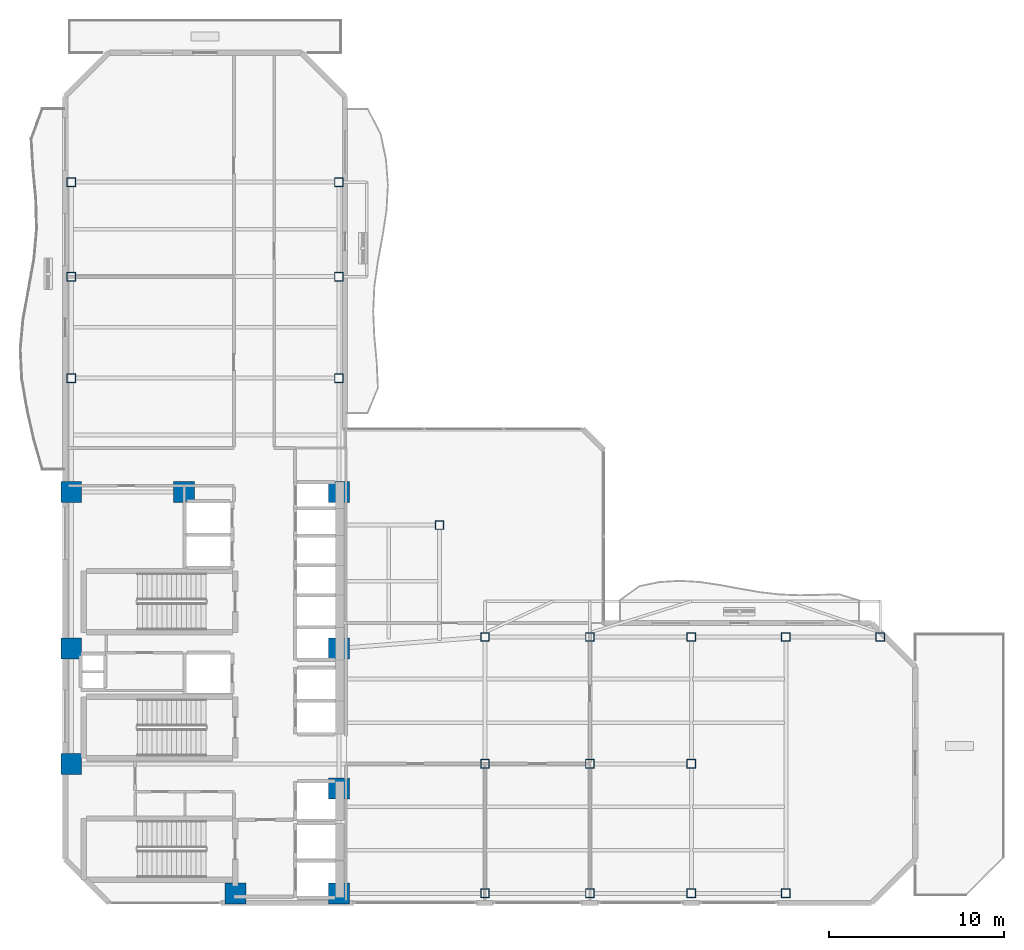
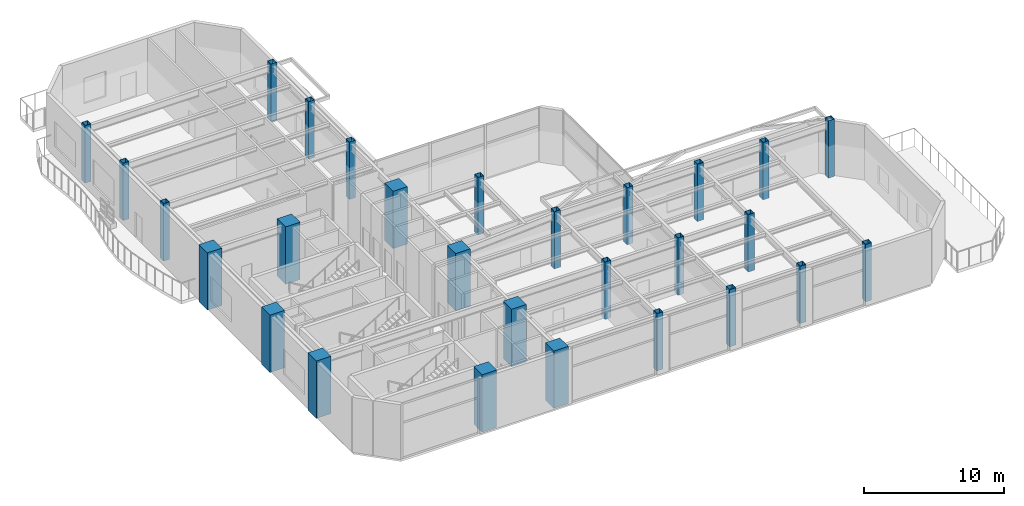
# One storey, part 1 of 23: 28 columns.
"""IFC4 building model written with IfcOpenShell, lengths in metres."""

from ifc_helpers import new_model, si_unit, direction, frame, origin, origin_2d, place, context, subcontext, project, spatial, rectangle, hollow_rectangle, extrude, material, material_profile, profile_set, type_object, element, save


model = new_model("IFC4")

# Units and contexts
model_context = context("Model", 3, precision=1e-05, world=origin(), true_north=direction((0.0, 1.0)))
body_context = subcontext(model_context, "Body", "Model", "MODEL_VIEW")
ifc_project = project(units=[si_unit("LENGTHUNIT", "METRE"), si_unit("AREAUNIT", "SQUARE_METRE"), si_unit("VOLUMEUNIT", "CUBIC_METRE"), si_unit("PLANEANGLEUNIT", "RADIAN"), si_unit("MASSUNIT", "GRAM", prefix="KILO")], contexts=[model_context])

# Site, building, storey
site_placement = place(None, origin())
site = spatial("IfcSite", under=ifc_project, at=site_placement, CompositionType="ELEMENT")
building_placement = place(site_placement, origin())
building = spatial("IfcBuilding", under=site, at=building_placement, Name="Mawjaban Terraces University", CompositionType="ELEMENT")
storey_placement = place(building_placement, frame((0.0, 0.0, 98.39990234375)))
storey = spatial("IfcBuildingStorey", under=building, at=storey_placement, Name="L23", CompositionType="ELEMENT", Elevation=98.39990234375)

# Columns
ifc_material_1 = material(Name="Concrete C60/75", Category="concrete")
ifc_material_profile_1 = material_profile(ifc_material_1, rectangle(XDim=1.199951171875, YDim=1.199951171875, at=origin_2d()), Name="RC1200X1200")
ifc_profile_set_1 = profile_set([ifc_material_profile_1], Name="Concrete C60/75")
column_type_1 = type_object("IfcColumnType", Name="Col_RC1200X1200", PredefinedType="COLUMN", material=ifc_profile_set_1)
for number, where, z_axis, x_axis, name in (
    (1, (31.75, 0.550048828125, 0.0), (0.0, 0.0, 1.0), (1.0, 0.0, 0.0), "L23 Column CC2"),
    (2, (37.64990234375, 0.550048828125, 0.0), (0.0, 0.0, 1.0), (1.0, 0.0, 0.0), "L23 Column CC3"),
    (3, (22.35009765625, 7.949951171875, 0.0), (0.0, 0.0, 1.0), (1.0, 0.0, 0.0), "L23 Column CC4"),
    (4, (37.64990234375, 6.550048828125, 0.0), (0.0, 0.0, 1.0), (1.0, 0.0, 0.0), "L23 Column CC5"),
    (5, (22.35009765625, 14.550048828125, 0.0), (0.0, 0.0, 1.0), (1.0, 0.0, 0.0), "L23 Column CC6"),
    (6, (37.64990234375, 14.550048828125, 0.0), (0.0, 0.0, 1.0), (1.0, 0.0, 0.0), "L23 Column CC7"),
    (7, (22.35009765625, 23.5, 0.0), (0.0, 0.0, 1.0), (1.0, 0.0, 0.0), "L23 Column CC8"),
    (8, (28.800048828125, 23.5, 0.0), (0.0, 0.0, 1.0), (1.0, 0.0, 0.0), "L23 Column CC9"),
    (9, (37.64990234375, 23.5, 0.0), (0.0, 0.0, 1.0), (1.0, 0.0, 0.0), "L23 Column CC10"),
):
    element("IfcColumn", number, at=place(storey_placement, frame(where, z_axis=z_axis, x_axis=x_axis)), inside=storey, type_object=column_type_1, Name=name, PredefinedType="COLUMN", context=body_context, shape_type="SweptSolid", body=[
        extrude(rectangle(XDim=1.199951171875, YDim=1.199951171875, at=origin_2d()), origin(), (0.0, 0.0, 1.0), 5.0),
    ])
ifc_material_2 = material(Name="Steel EN 10210-1 S355J2H", Category="steel")
ifc_material_profile_2 = material_profile(ifc_material_2, hollow_rectangle(XDim=0.5, YDim=0.5, WallThickness=0.02490234375, at=origin_2d()), Name="SHS500X500X25")
ifc_profile_set_2 = profile_set([ifc_material_profile_2], Name="Steel EN 10210-1 S355J2H")
column_type_2 = type_object("IfcColumnType", Name="Col_SHS500X500X25", PredefinedType="COLUMN", material=ifc_profile_set_2)
for number, where, z_axis, x_axis, name in (
    (10, (46.0, 0.550048828125, 0.0), (0.0, 0.0, 1.0), (1.0, 0.0, 0.0), "L23 Column TE-460-005"),
    (11, (46.0, 7.949951171875, 0.0), (0.0, 0.0, 1.0), (1.0, 0.0, 0.0), "L23 Column TE-460-080"),
    (12, (46.0, 15.199951171875, 0.0), (0.0, 0.0, 1.0), (1.0, 0.0, 0.0), "L23 Column TE-460-152"),
    (13, (52.0, 0.550048828125, 0.0), (0.0, 0.0, 1.0), (1.0, 0.0, 0.0), "L23 Column TE-520-005"),
    (14, (52.0, 7.949951171875, 0.0), (0.0, 0.0, 1.0), (1.0, 0.0, 0.0), "L23 Column TE-520-080"),
    (15, (52.0, 15.199951171875, 0.0), (0.0, 0.0, 1.0), (1.0, 0.0, 0.0), "L23 Column TE-520-152"),
    (16, (57.800048828125, 0.550048828125, 0.0), (0.0, 0.0, 1.0), (1.0, 0.0, 0.0), "L23 Column TE-578-005"),
    (17, (57.800048828125, 7.949951171875, 0.0), (0.0, 0.0, 1.0), (1.0, 0.0, 0.0), "L23 Column TE-578-080"),
    (18, (57.800048828125, 15.199951171875, 0.0), (0.0, 0.0, 1.0), (1.0, 0.0, 0.0), "L23 Column TE-578-152"),
    (19, (63.199951171875, 0.550048828125, 0.0), (0.0, 0.0, 1.0), (1.0, 0.0, 0.0), "L23 Column TE-632-005"),
    (20, (63.199951171875, 15.199951171875, 0.0), (0.0, 0.0, 1.0), (1.0, 0.0, 0.0), "L23 Column TE-632-152"),
    (21, (68.60009765625, 15.199951171875, 0.0), (0.0, 0.0, 1.0), (1.0, 0.0, 0.0), "L23 Column TE-686-152"),
    (22, (22.35009765625, 30.0, 0.0), (0.0, 0.0, 1.0), (1.0, 0.0, 0.0), "L23 Column TN-223-300"),
    (23, (37.64990234375, 30.0, 0.0), (0.0, 0.0, 1.0), (1.0, 0.0, 0.0), "L23 Column TN-376-300"),
    (24, (22.35009765625, 35.800048828125, 0.0), (0.0, 0.0, 1.0), (1.0, 0.0, 0.0), "L23 Column TN-223-358"),
    (25, (37.64990234375, 35.800048828125, 0.0), (0.0, 0.0, 1.0), (1.0, 0.0, 0.0), "L23 Column TN-376-358"),
    (26, (22.35009765625, 41.199951171875, 0.0), (0.0, 0.0, 1.0), (1.0, 0.0, 0.0), "L23 Column TN-223-412"),
    (27, (37.64990234375, 41.199951171875, 0.0), (0.0, 0.0, 1.0), (1.0, 0.0, 0.0), "L23 Column TN-376-412"),
    (28, (43.39990234375, 21.60009765625, 0.0), (0.0, 0.0, 1.0), (1.0, 0.0, 0.0), "L23 Column TS-434-216"),
):
    element("IfcColumn", number, at=place(storey_placement, frame(where, z_axis=z_axis, x_axis=x_axis)), inside=storey, type_object=column_type_2, Name=name, PredefinedType="COLUMN", context=body_context, shape_type="SweptSolid", body=[
        extrude(hollow_rectangle(XDim=0.5, YDim=0.5, WallThickness=0.02490234375, at=origin_2d()), origin(), (0.0, 0.0, 1.0), 5.0),
    ])

save(model, "model.ifc")
